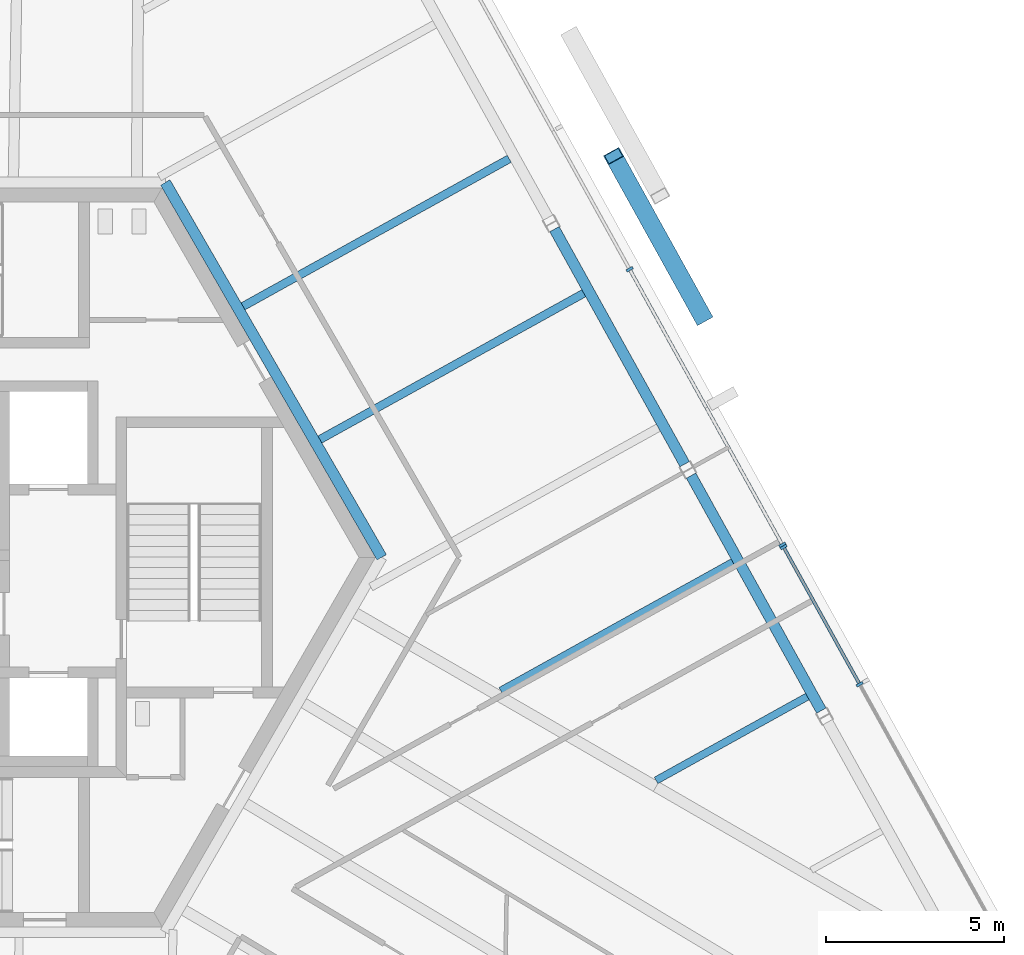
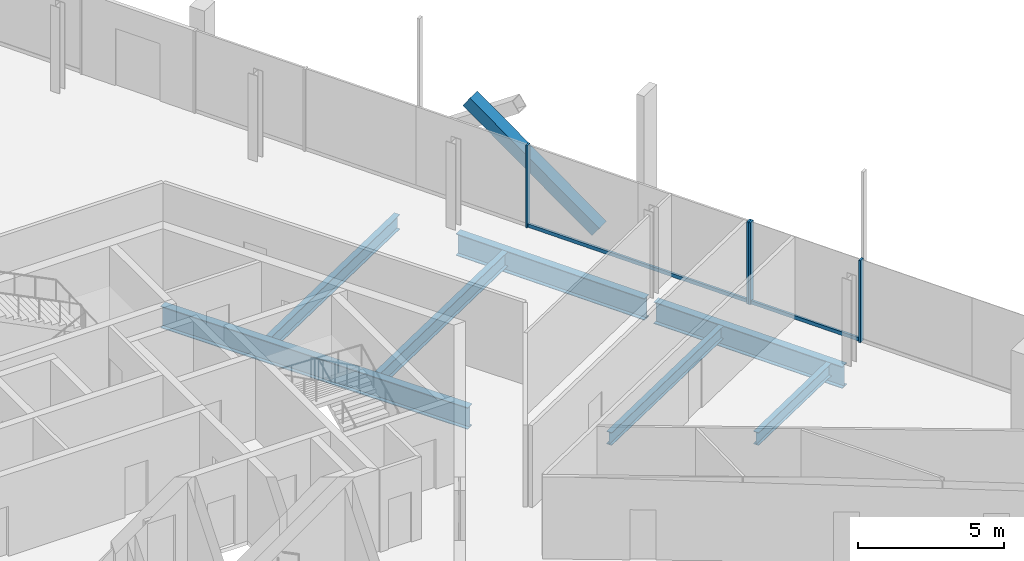
# One storey, part 7 of 20: 7 beams, 7 members, 2 elements without a shape of their own.
"""IFC4 building model written with IfcOpenShell, lengths in metres."""

from ifc_helpers import new_model, si_unit, direction, frame, origin, origin_2d, place, context, subcontext, project, spatial, rectangle, hollow_rectangle, i_section, extrude, source, transform, mapped, material, material_profile, profile_set, type_object, element, aggregate, save


model = new_model("IFC4")

# Units and contexts
model_context = context("Model", 3, precision=1e-05, world=origin(), true_north=direction((0.0, 1.0)))
body_context = subcontext(model_context, "Body", "Model", "MODEL_VIEW")
ifc_project = project(units=[si_unit("LENGTHUNIT", "METRE"), si_unit("AREAUNIT", "SQUARE_METRE"), si_unit("VOLUMEUNIT", "CUBIC_METRE"), si_unit("PLANEANGLEUNIT", "RADIAN"), si_unit("MASSUNIT", "GRAM", prefix="KILO")], contexts=[model_context])

# Site, building, storey
site_placement = place(None, origin())
site = spatial("IfcSite", under=ifc_project, at=site_placement, CompositionType="ELEMENT")
building_placement = place(site_placement, origin())
building = spatial("IfcBuilding", under=site, at=building_placement, Name="Triune Harvest Tower", CompositionType="ELEMENT")
storey_placement = place(building_placement, frame((0.0, 0.0, 194.300048828125)))
storey = spatial("IfcBuildingStorey", under=building, at=storey_placement, Name="L50", CompositionType="ELEMENT", Elevation=194.300048828125)

# Curtain wall, member
ifc_material_1 = material(Name="Aluminium bronze anodised", Category="aluminium")
curtain_wall_type_1 = type_object("IfcCurtainWallType", Name="CW-10 Balcony window wall with insulated spandrel infill", PredefinedType="NOTDEFINED", material=ifc_material_1)
curtain_wall_1_placement = place(storey_placement, origin())
curtain_wall_1 = element("IfcCurtainWall", 1, at=curtain_wall_1_placement, inside=storey, type_object=curtain_wall_type_1, Name="CW-10 B5-F1 L50 run 1001")
ifc_material_2 = material(Name="Aluminium bronze anodised", Category="aluminium")
ifc_material_profile_1 = material_profile(ifc_material_2, rectangle(XDim=0.090087890625, YDim=0.14990234375, at=origin_2d()), Name="TR-6 transom 90 x 150")
ifc_profile_set_1 = profile_set([ifc_material_profile_1], Name="Aluminium bronze anodised")
member_type_1 = type_object("IfcMemberType", Name="TR-6 transom 90 x 150", PredefinedType="USERDEFINED", material=ifc_profile_set_1)
member_1_placement = place(storey_placement, frame((23.42724609375, 0.3857421875, 0.074951171875), z_axis=(-0.484788661971, 0.874631324173, 0.0), x_axis=(-0.874631324173, -0.484788661971, 0.0)))
member_1 = element("IfcMember", 2, at=member_1_placement, type_object=member_type_1, Name="CW-10 transom B5-F1 1001.1", ObjectType="TRANSOM", PredefinedType="USERDEFINED", context=body_context, shape_type="SweptSolid", body=[
    extrude(rectangle(XDim=0.090087890625, YDim=0.14990234375, at=origin_2d()), origin(), (0.0, 0.0, 1.0), 8.786376953125),
])

# Beams
ifc_material_3 = material(Name="Steel ASTM A992 Gr 50", Category="steel")
ifc_material_profile_2 = material_profile(ifc_material_3, i_section(OverallWidth=0.3046875, OverallDepth=0.914306640625, WebThickness=0.0166015625, FlangeThickness=0.02587890625, at=origin_2d()), Name="W36x160")
ifc_profile_set_2 = profile_set([ifc_material_profile_2], Name="Steel ASTM A992 Gr 50")
beam_type_1 = type_object("IfcBeamType", Name="CG-1 Core ring girder W36x160", PredefinedType="BEAM", material=ifc_profile_set_2)
shared_shape_1 = source(origin(), body_context, "Body", "SweptSolid", [
    extrude(i_section(OverallWidth=0.3046875, OverallDepth=0.914306640625, WebThickness=0.0166015625, FlangeThickness=0.02587890625, at=origin_2d()), origin(), (0.0, 0.0, 1.0), 12.176025390625),
])
beam_1_placement = place(storey_placement, frame((12.176025390625, 0.0, -0.6171875), z_axis=(-0.5000099932, 0.866019634131, 0.0), x_axis=(-0.866019634131, -0.5000099932, 0.0)))
element("IfcBeam", 3, at=beam_1_placement, inside=storey, type_object=beam_type_1, Name="beam/L50/CG1", PredefinedType="BEAM", context=body_context, shape_type="MappedRepresentation", body=[
    mapped(shared_shape_1, transform((0.0, 0.0, 0.0), scale=1.0)),
])
ifc_material_4 = material(Name="Steel ASTM A992 Gr 50", Category="steel")
ifc_material_profile_3 = material_profile(ifc_material_4, i_section(OverallWidth=0.3046875, OverallDepth=0.914306640625, WebThickness=0.0166015625, FlangeThickness=0.02587890625, at=origin_2d()), Name="W36x160")
ifc_profile_set_3 = profile_set([ifc_material_profile_3], Name="Steel ASTM A992 Gr 50")
beam_type_2 = type_object("IfcBeamType", Name="SB-1 Spandrel beam W36x160", PredefinedType="SPANDREL", material=ifc_profile_set_3)
shared_shape_2 = source(origin(), body_context, "Body", "SweptSolid", [
    extrude(i_section(OverallWidth=0.3046875, OverallDepth=0.914306640625, WebThickness=0.0166015625, FlangeThickness=0.02587890625, at=origin_2d()), origin(), (0.0, 0.0, 1.0), 7.556396484375),
])
for number, where, z_axis, x_axis, name in (
    (4, (24.542236328125, -4.311279296875, -0.6171875), (-0.484806011206, 0.874621707654, 0.0), (-0.874621707654, -0.484806011206, 0.0), "beam/L50/SB2"),
    (5, (20.698974609375, 2.6220703125, -0.6171875), (-0.484806011206, 0.874621707654, 0.0), (-0.874621707654, -0.484806011206, 0.0), "beam/L50/SB3"),
):
    element("IfcBeam", number, at=place(storey_placement, frame(where, z_axis=z_axis, x_axis=x_axis)), inside=storey, type_object=beam_type_2, Name=name, PredefinedType="SPANDREL", context=body_context, shape_type="MappedRepresentation", body=[
        mapped(shared_shape_2, transform((0.0, 0.0, 0.0), scale=1.0)),
    ])
ifc_material_5 = material(Name="Steel ASTM A992 Gr 50", Category="steel")
ifc_material_profile_4 = material_profile(ifc_material_5, i_section(OverallWidth=0.2099609375, OverallDepth=0.535888671875, WebThickness=0.010986328125, FlangeThickness=0.017333984375, at=origin_2d()), Name="W21x68")
ifc_profile_set_4 = profile_set([ifc_material_profile_4], Name="Steel ASTM A992 Gr 50")
beam_type_3 = type_object("IfcBeamType", Name="JT-2 Floor joist W21x68", PredefinedType="JOIST", material=ifc_profile_set_4)
shared_shape_3 = source(origin(), body_context, "Body", "SweptSolid", [
    extrude(i_section(OverallWidth=0.2099609375, OverallDepth=0.535888671875, WebThickness=0.010986328125, FlangeThickness=0.017333984375, at=origin_2d()), origin(), (0.0, 0.0, 1.0), 4.8642578125),
])
beam_2_placement = place(storey_placement, frame((24.1494140625, -3.9169921875, -0.427978515625), z_axis=(-0.874606715021, -0.484833057908, 0.0), x_axis=(0.484833057908, -0.874606715021, 0.0)))
element("IfcBeam", 6, at=beam_2_placement, inside=storey, type_object=beam_type_3, Name="beam/L50/JT2", PredefinedType="JOIST", context=body_context, shape_type="MappedRepresentation", body=[
    mapped(shared_shape_3, transform((0.0, 0.0, 0.0), scale=1.0)),
])
shared_shape_4 = source(origin(), body_context, "Body", "SweptSolid", [
    extrude(i_section(OverallWidth=0.2099609375, OverallDepth=0.535888671875, WebThickness=0.010986328125, FlangeThickness=0.017333984375, at=origin_2d()), origin(), (0.0, 0.0, 1.0), 7.46240234375),
])
beam_3_placement = place(storey_placement, frame((22.052978515625, -0.13525390625, -0.427978515625), z_axis=(-0.87461829469, -0.484812168363, 0.0), x_axis=(0.484812168363, -0.87461829469, 0.0)))
element("IfcBeam", 7, at=beam_3_placement, inside=storey, type_object=beam_type_3, Name="beam/L50/JT3", PredefinedType="JOIST", context=body_context, shape_type="MappedRepresentation", body=[
    mapped(shared_shape_4, transform((0.0, 0.0, 0.0), scale=1.0)),
])
ifc_material_6 = material(Name="Steel ASTM A992 Gr 50", Category="steel")
ifc_material_profile_5 = material_profile(ifc_material_6, i_section(OverallWidth=0.22900390625, OverallDepth=0.612060546875, WebThickness=0.011962890625, FlangeThickness=0.01953125, at=origin_2d()), Name="W24x84")
ifc_profile_set_5 = profile_set([ifc_material_profile_5], Name="Steel ASTM A992 Gr 50")
beam_type_4 = type_object("IfcBeamType", Name="JT-3 Floor joist W24x84", PredefinedType="JOIST", material=ifc_profile_set_5)
shared_shape_5 = source(origin(), body_context, "Body", "SweptSolid", [
    extrude(i_section(OverallWidth=0.22900390625, OverallDepth=0.612060546875, WebThickness=0.011962890625, FlangeThickness=0.01953125, at=origin_2d()), origin(), (0.0, 0.0, 1.0), 8.486083984375),
])
beam_4_placement = place(storey_placement, frame((17.860595703125, 7.42822265625, -0.466064453125), z_axis=(-0.874626410095, -0.484797527598, 0.0), x_axis=(0.484797527598, -0.874626410095, 0.0)))
element("IfcBeam", 8, at=beam_4_placement, inside=storey, type_object=beam_type_4, Name="beam/L50/JT5", PredefinedType="JOIST", context=body_context, shape_type="MappedRepresentation", body=[
    mapped(shared_shape_5, transform((0.0, 0.0, 0.0), scale=1.0)),
])
shared_shape_6 = source(origin(), body_context, "Body", "SweptSolid", [
    extrude(i_section(OverallWidth=0.22900390625, OverallDepth=0.612060546875, WebThickness=0.011962890625, FlangeThickness=0.01953125, at=origin_2d()), origin(), (0.0, 0.0, 1.0), 8.561767578125),
])
beam_5_placement = place(storey_placement, frame((15.764404296875, 11.210205078125, -0.466064453125), z_axis=(-0.87461689263, -0.484814697721, 0.0), x_axis=(0.484814697721, -0.87461689263, 0.0)))
element("IfcBeam", 9, at=beam_5_placement, inside=storey, type_object=beam_type_4, Name="beam/L50/JT6", PredefinedType="JOIST", context=body_context, shape_type="MappedRepresentation", body=[
    mapped(shared_shape_6, transform((0.0, 0.0, 0.0), scale=1.0)),
])

# Member
ifc_material_7 = material(Name="Steel ASTM A572 Gr 50", Category="steel")
ifc_material_profile_6 = material_profile(ifc_material_7, hollow_rectangle(XDim=0.5, YDim=0.5, WallThickness=0.030029296875, at=origin_2d()), Name="Box 500x500x30")
ifc_profile_set_6 = profile_set([ifc_material_profile_6], Name="Steel ASTM A572 Gr 50")
member_type_2 = type_object("IfcMemberType", Name="BR-3 Brace Box 500x500x30", PredefinedType="BRACE", material=ifc_profile_set_6)
shared_shape_7 = source(origin(), body_context, "Body", "SweptSolid", [
    extrude(hollow_rectangle(XDim=0.5, YDim=0.5, WallThickness=0.030029296875, at=origin_2d()), origin(), (0.0, 0.0, 1.0), 6.302734375),
])
member_2_placement = place(storey_placement, frame((21.20703125, 6.76318359375, 0.0), z_axis=(-0.397933648713, 0.717930715979, 0.571160483819), x_axis=(-0.874630991711, -0.484789261781, 0.0)))
element("IfcMember", 10, at=member_2_placement, inside=storey, type_object=member_type_2, Name="brace/B5-F1/d1/5", PredefinedType="BRACE", context=body_context, shape_type="MappedRepresentation", body=[
    mapped(shared_shape_7, transform((0.0, 0.0, 0.0), scale=1.0)),
])

# Curtain wall, members
ifc_material_8 = material(Name="Aluminium bronze anodised", Category="aluminium")
curtain_wall_type_2 = type_object("IfcCurtainWallType", Name="CW-6 Balcony window wall", PredefinedType="NOTDEFINED", material=ifc_material_8)
curtain_wall_2_placement = place(storey_placement, origin())
curtain_wall_2 = element("IfcCurtainWall", 11, at=curtain_wall_2_placement, inside=storey, type_object=curtain_wall_type_2, Name="CW-6 B5-F1 L50 run 1")
ifc_material_9 = material(Name="Aluminium bronze anodised", Category="aluminium")
ifc_material_profile_7 = material_profile(ifc_material_9, rectangle(XDim=0.199951171875, YDim=0.074951171875, at=origin_2d()), Name="MU-6 mullion 75 x 200")
ifc_profile_set_7 = profile_set([ifc_material_profile_7], Name="Aluminium bronze anodised")
member_type_3 = type_object("IfcMemberType", Name="MU-6 mullion 75 x 200", PredefinedType="MULLION", material=ifc_profile_set_7)
shared_shape_8 = source(origin(), body_context, "Body", "SweptSolid", [
    extrude(rectangle(XDim=0.199951171875, YDim=0.074951171875, at=origin_2d()), origin(), (0.0, 0.0, 1.0), 3.43994140625),
])
member_3_placement = place(storey_placement, frame((25.620849609375, -3.5712890625, 0.0), z_axis=(0.0, 0.0, 1.0), x_axis=(-0.87462162712, -0.484806156493, 0.0)))
member_3 = element("IfcMember", 12, at=member_3_placement, type_object=member_type_3, Name="CW-6 mullion B5-F1 1.3", PredefinedType="MULLION", context=body_context, shape_type="MappedRepresentation", body=[
    mapped(shared_shape_8, transform((0.0, 0.0, 0.0), scale=1.0)),
])
member_4_placement = place(storey_placement, frame((23.48193359375, 0.287353515625, 0.0), z_axis=(0.0, 0.0, 1.0), x_axis=(-0.87462162712, -0.484806156493, 0.0)))
member_4 = element("IfcMember", 13, at=member_4_placement, type_object=member_type_3, Name="CW-6 mullion B5-F1 1.4", PredefinedType="MULLION", context=body_context, shape_type="MappedRepresentation", body=[
    mapped(shared_shape_8, transform((0.0, 0.0, 0.0), scale=1.0)),
])

# Member
member_5_placement = place(storey_placement, frame((23.445556640625, 0.35302734375, 0.0), z_axis=(0.0, 0.0, 1.0), x_axis=(-0.874619563717, -0.484809878988, 0.0)))
member_5 = element("IfcMember", 14, at=member_5_placement, type_object=member_type_3, Name="CW-10 mullion B5-F1 1001.1", PredefinedType="MULLION", context=body_context, shape_type="MappedRepresentation", body=[
    mapped(shared_shape_8, transform((0.0, 0.0, 0.0), scale=1.0)),
])

member_6_placement = place(storey_placement, frame((19.1494140625, 8.103271484375, 0.0), z_axis=(0.0, 0.0, 1.0), x_axis=(-0.874619563717, -0.484809878988, 0.0)))
member_6 = element("IfcMember", 15, at=member_6_placement, type_object=member_type_3, Name="CW-10 mullion B5-F1 1001.3", PredefinedType="MULLION", context=body_context, shape_type="MappedRepresentation", body=[
    mapped(shared_shape_8, transform((0.0, 0.0, 0.0), scale=1.0)),
])

aggregate(curtain_wall_1, [member_5, member_6, member_1])

shared_shape_9 = source(origin(), body_context, "Body", "SweptSolid", [
    extrude(rectangle(XDim=0.090087890625, YDim=0.14990234375, at=origin_2d()), origin(), (0.0, 0.0, 1.0), 4.3369140625),
])
member_7_placement = place(storey_placement, frame((25.6025390625, -3.53857421875, 0.074951171875), z_axis=(-0.484796713117, 0.874626861554, 0.0), x_axis=(-0.874626861554, -0.484796713117, 0.0)))
member_7 = element("IfcMember", 16, at=member_7_placement, type_object=member_type_1, Name="CW-6 transom B5-F1 1.2", ObjectType="TRANSOM", PredefinedType="USERDEFINED", context=body_context, shape_type="MappedRepresentation", body=[
    mapped(shared_shape_9, transform((0.0, 0.0, 0.0), scale=1.0)),
])

aggregate(curtain_wall_2, [member_3, member_4, member_7])

save(model, "model.ifc")
